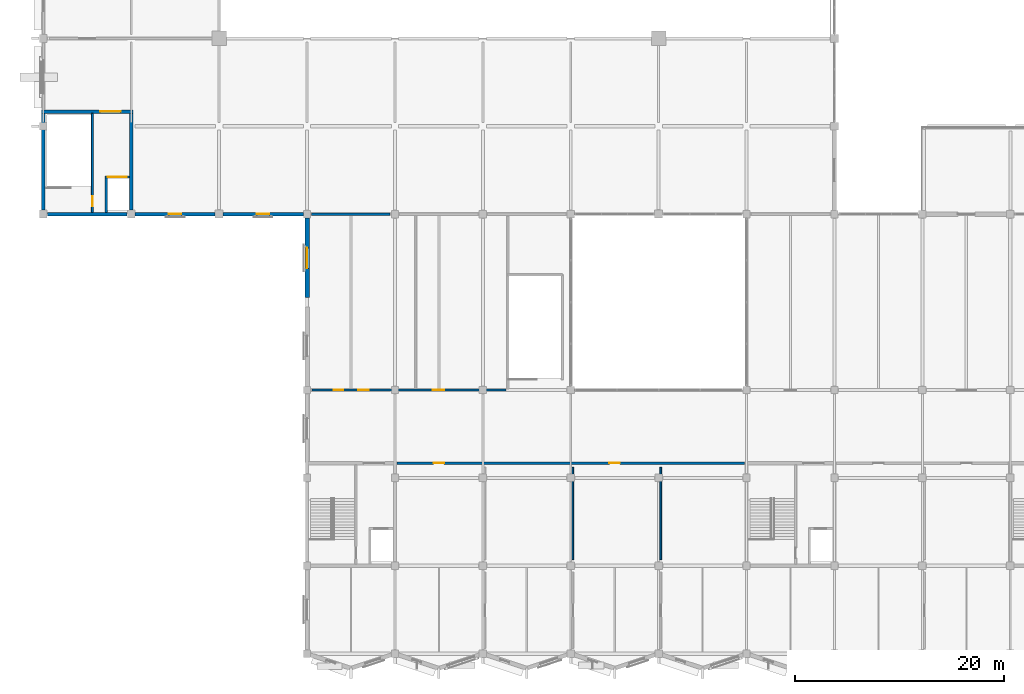
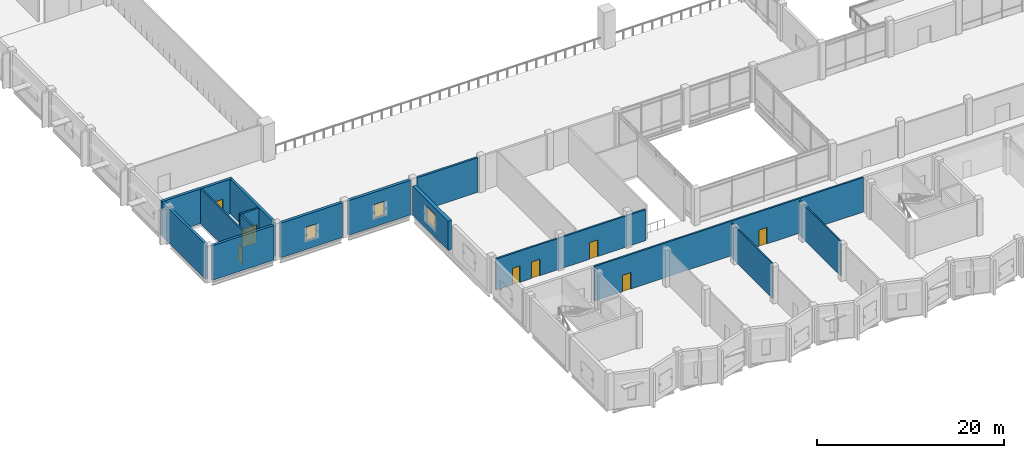
# One storey, part 83 of 110: 15 walls, 8 doors, 3 windows, 11 openings.
"""IFC4 building model written with IfcOpenShell, lengths in metres."""

from ifc_helpers import new_model, si_unit, direction, frame, frame_2d, origin, place, context, subcontext, project, spatial, rectangle, extrude, material, layer, layer_set, type_object, element, fill, save


model = new_model("IFC4")

# Units and contexts
model_context = context("Model", 3, precision=1e-05, world=origin(), true_north=direction((0.0, 1.0)))
body_context = subcontext(model_context, "Body", "Model", "MODEL_VIEW")
ifc_project = project(units=[si_unit("LENGTHUNIT", "METRE"), si_unit("AREAUNIT", "SQUARE_METRE"), si_unit("VOLUMEUNIT", "CUBIC_METRE"), si_unit("PLANEANGLEUNIT", "RADIAN"), si_unit("MASSUNIT", "GRAM", prefix="KILO")], contexts=[model_context])

# Site, building, storey
site_placement = place(None, origin())
site = spatial("IfcSite", under=ifc_project, at=site_placement, CompositionType="ELEMENT")
building_placement = place(site_placement, origin())
building = spatial("IfcBuilding", under=site, at=building_placement, Name="Qawsi Khor Wholesale Market", CompositionType="ELEMENT")
storey_placement = place(building_placement, frame((0.0, 0.0, 11.39990234375)))
storey = spatial("IfcBuildingStorey", under=building, at=storey_placement, Name="L02", CompositionType="ELEMENT", Elevation=11.39990234375)

# Wall, openings, doors
ifc_material_1 = material(Name="Gypsum Fireboard on Steel Stud", Category="steel")
ifc_layer_1 = layer(ifc_material_1, 0.2099609375, Name="Gypsum Fireboard on Steel Stud")
ifc_layer_set_1 = layer_set([ifc_layer_1], Name="Gypsum Fireboard on Steel Stud")
wall_type_1 = type_object("IfcWallType", Name="Corridor Fire Partition Wall 210", PredefinedType="PARTITIONING", material=ifc_layer_set_1)
wall_1_placement = place(storey_placement, frame((33.800048828125, 18.199951171875, 0.0), z_axis=(0.0, 0.0, 1.0), x_axis=(1.0, 0.0, 0.0)))
wall_1 = element("IfcWall", 1, at=wall_1_placement, inside=storey, type_object=wall_type_1, Name="PW-L02-071", PredefinedType="PARTITIONING", context=body_context, shape_type="SweptSolid", body=[
    extrude(rectangle(XDim=33.199951171875, YDim=0.2099609375, at=frame_2d((16.60009765625, 0.0))), origin(), (0.0, 0.0, 1.0), 4.52001953125),
])
opening_1_placement = place(wall_1_placement, frame((3.5, 0.0, 0.0)))
opening_1 = element("IfcOpeningElement", 2, at=opening_1_placement, cuts=wall_1, Name="Opening ID-06", PredefinedType="OPENING", context=body_context, shape_type="SweptSolid", body=[
    extrude(rectangle(XDim=1.0, YDim=2.14990234375, at=frame_2d((0.5, 1.074951171875))), frame((0.0, 0.114990234375, 0.0), z_axis=(0.0, -1.0, 0.0), x_axis=(1.0, 0.0, 0.0)), (0.0, 0.0, 1.0), 0.22998046875),
])
opening_2_placement = place(wall_1_placement, frame((20.300048828125, 0.0, 0.0)))
opening_2 = element("IfcOpeningElement", 3, at=opening_2_placement, cuts=wall_1, Name="Opening ID-06", PredefinedType="OPENING", context=body_context, shape_type="SweptSolid", body=[
    extrude(rectangle(XDim=1.0, YDim=2.14990234375, at=frame_2d((0.5, 1.074951171875))), frame((0.0, 0.114990234375, 0.0), z_axis=(0.0, -1.0, 0.0), x_axis=(1.0, 0.0, 0.0)), (0.0, 0.0, 1.0), 0.22998046875),
])
ifc_material_2 = material(Name="Hardwood Timber Veneer", Category="wood")
door_type_1 = type_object("IfcDoorType", Name="Traders Office Single Door 1000x2150", OperationType="NOTDEFINED", PredefinedType="DOOR", material=ifc_material_2)
door_1_placement = place(opening_1_placement, origin())
door_1 = element("IfcDoor", 4, at=door_1_placement, inside=storey, type_object=door_type_1, Name="Traders Office Single Door 1000x2150 L02-079", OperationType="SINGLE_SWING_LEFT", OverallHeight=2.14990234375, OverallWidth=1.0, PredefinedType="DOOR", context=body_context, shape_type="SweptSolid", body=[
    extrude(rectangle(XDim=1.0, YDim=2.14990234375, at=frame_2d((0.5, 1.074951171875))), frame((0.0, 0.02490234375, 0.0), z_axis=(0.0, -1.0, 0.0), x_axis=(1.0, 0.0, 0.0)), (0.0, 0.0, 1.0), 0.050048828125),
])
fill(opening_1, door_1)
door_2_placement = place(opening_2_placement, origin())
door_2 = element("IfcDoor", 5, at=door_2_placement, inside=storey, type_object=door_type_1, Name="Traders Office Single Door 1000x2150 L02-080", OperationType="SINGLE_SWING_RIGHT", OverallHeight=2.14990234375, OverallWidth=1.0, PredefinedType="DOOR", context=body_context, shape_type="SweptSolid", body=[
    extrude(rectangle(XDim=1.0, YDim=2.14990234375, at=frame_2d((0.5, 1.074951171875))), frame((0.0, 0.02490234375, 0.0), z_axis=(0.0, -1.0, 0.0), x_axis=(1.0, 0.0, 0.0)), (0.0, 0.0, 1.0), 0.050048828125),
])
fill(opening_2, door_2)

wall_2_placement = place(storey_placement, frame((25.699951171875, 25.199951171875, 0.0), z_axis=(0.0, 0.0, 1.0), x_axis=(1.0, 0.0, 0.0)))
wall_2 = element("IfcWall", 6, at=wall_2_placement, inside=storey, type_object=wall_type_1, Name="PW-L02-094", PredefinedType="PARTITIONING", context=body_context, shape_type="SweptSolid", body=[
    extrude(rectangle(XDim=18.5, YDim=0.2099609375, at=frame_2d((9.25, 0.0))), origin(), (0.0, 0.0, 1.0), 4.080078125),
])
opening_3_placement = place(wall_2_placement, frame((2.0400390625, 0.0, 0.0)))
opening_3 = element("IfcOpeningElement", 7, at=opening_3_placement, cuts=wall_2, Name="Opening ID-11", PredefinedType="OPENING", context=body_context, shape_type="SweptSolid", body=[
    extrude(rectangle(XDim=0.919921875, YDim=2.139892578125, at=frame_2d((0.4599609375, 1.06982421875))), frame((0.0, 0.114990234375, 0.0), z_axis=(0.0, -1.0, 0.0), x_axis=(1.0, 0.0, 0.0)), (0.0, 0.0, 1.0), 0.22998046875),
])
opening_4_placement = place(wall_2_placement, frame((4.385009765625, 0.0, 0.0)))
opening_4 = element("IfcOpeningElement", 8, at=opening_4_placement, cuts=wall_2, Name="Opening ID-12", PredefinedType="OPENING", context=body_context, shape_type="SweptSolid", body=[
    extrude(rectangle(XDim=1.030029296875, YDim=2.14990234375, at=frame_2d((0.51513671875, 1.074951171875))), frame((0.0, 0.114990234375, 0.0), z_axis=(0.0, -1.0, 0.0), x_axis=(1.0, 0.0, 0.0)), (0.0, 0.0, 1.0), 0.22998046875),
])
opening_5_placement = place(wall_2_placement, frame((11.530029296875, 0.0, 0.0)))
opening_5 = element("IfcOpeningElement", 9, at=opening_5_placement, cuts=wall_2, Name="Opening ID-07", PredefinedType="OPENING", context=body_context, shape_type="SweptSolid", body=[
    extrude(rectangle(XDim=1.06005859375, YDim=2.179931640625, at=frame_2d((0.530029296875, 1.08984375))), frame((0.0, 0.114990234375, 0.0), z_axis=(0.0, -1.0, 0.0), x_axis=(1.0, 0.0, 0.0)), (0.0, 0.0, 1.0), 0.22998046875),
])
ifc_material_3 = material(Name="High-Pressure Laminate", Category="steel")
door_type_2 = type_object("IfcDoorType", Name="Accessible WC Door 1030x2150", OperationType="NOTDEFINED", PredefinedType="DOOR", material=ifc_material_3)
door_3_placement = place(opening_4_placement, origin())
door_3 = element("IfcDoor", 10, at=door_3_placement, inside=storey, type_object=door_type_2, Name="Accessible WC Door 1030x2150 L02-099", OperationType="SINGLE_SWING_RIGHT", OverallHeight=2.14990234375, OverallWidth=1.030029296875, PredefinedType="DOOR", context=body_context, shape_type="SweptSolid", body=[
    extrude(rectangle(XDim=1.030029296875, YDim=2.14990234375, at=frame_2d((0.51513671875, 1.074951171875))), frame((0.0, 0.02490234375, 0.0), z_axis=(0.0, -1.0, 0.0), x_axis=(1.0, 0.0, 0.0)), (0.0, 0.0, 1.0), 0.050048828125),
])
fill(opening_4, door_3)
door_type_3 = type_object("IfcDoorType", Name="Clearinghouse Suite Door 1060x2180", OperationType="NOTDEFINED", PredefinedType="DOOR", material=ifc_material_2)
door_4_placement = place(opening_5_placement, origin())
door_4 = element("IfcDoor", 11, at=door_4_placement, inside=storey, type_object=door_type_3, Name="Clearinghouse Suite Door 1060x2180 L02-100", OperationType="SINGLE_SWING_LEFT", OverallHeight=2.179931640625, OverallWidth=1.06005859375, PredefinedType="DOOR", context=body_context, shape_type="SweptSolid", body=[
    extrude(rectangle(XDim=1.06005859375, YDim=2.179931640625, at=frame_2d((0.530029296875, 1.08984375))), frame((0.0, 0.02490234375, 0.0), z_axis=(0.0, -1.0, 0.0), x_axis=(1.0, 0.0, 0.0)), (0.0, 0.0, 1.0), 0.050048828125),
])
fill(opening_5, door_4)
door_type_4 = type_object("IfcDoorType", Name="Public Toilet Entrance Door 920x2140", OperationType="NOTDEFINED", PredefinedType="DOOR", material=ifc_material_3)
door_5_placement = place(opening_3_placement, origin())
door_5 = element("IfcDoor", 12, at=door_5_placement, inside=storey, type_object=door_type_4, Name="Public Toilet Entrance Door 920x2140 L02-098", OperationType="SINGLE_SWING_LEFT", OverallHeight=2.139892578125, OverallWidth=0.919921875, PredefinedType="DOOR", context=body_context, shape_type="SweptSolid", body=[
    extrude(rectangle(XDim=0.919921875, YDim=2.139892578125, at=frame_2d((0.4599609375, 1.06982421875))), frame((0.0, 0.02490234375, 0.0), z_axis=(0.0, -1.0, 0.0), x_axis=(1.0, 0.0, 0.0)), (0.0, 0.0, 1.0), 0.050048828125),
])
fill(opening_3, door_5)

# Walls
ifc_material_4 = material(Name="Concrete Blockwork & Plaster", Category="masonry")
ifc_layer_2 = layer(ifc_material_4, 0.25, Name="Concrete Blockwork & Plaster")
ifc_layer_set_2 = layer_set([ifc_layer_2], Name="Concrete Blockwork & Plaster")
wall_type_2 = type_object("IfcWallType", Name="Fire Compartment Masonry Wall 250", PredefinedType="SOLIDWALL", material=ifc_layer_set_2)
wall_3_placement = place(storey_placement, frame((25.64990234375, 42.0, 0.0), z_axis=(0.0, 0.0, 1.0), x_axis=(1.0, 0.0, 0.0)))
element("IfcWall", 13, at=wall_3_placement, inside=storey, type_object=wall_type_2, Name="Grid F fire compartment wall L02-03", PredefinedType="SOLIDWALL", context=body_context, shape_type="SweptSolid", body=[
    extrude(rectangle(XDim=7.5, YDim=0.25, at=frame_2d((3.75, 0.0))), origin(), (0.0, 0.0, 1.0), 4.52001953125),
])
ifc_material_5 = material(Name="Concrete C40/50", Category="concrete")
ifc_layer_3 = layer(ifc_material_5, 0.320068359375, Name="Concrete C40/50")
ifc_layer_set_3 = layer_set([ifc_layer_3], Name="Concrete C40/50")
wall_type_3 = type_object("IfcWallType", Name="Hall Lateral Shear Wall RC 320 C40/50", PredefinedType="SHEAR", material=ifc_layer_set_3)
wall_4_placement = place(storey_placement, frame((8.02001953125, 42.0, 0.0), z_axis=(0.0, 0.0, 1.0), x_axis=(-1.0, 0.0, 0.0)))
element("IfcWall", 14, at=wall_4_placement, inside=storey, type_object=wall_type_3, Name="Core C07 south shear wall L02", PredefinedType="SHEAR", context=body_context, shape_type="SweptSolid", body=[
    extrude(rectangle(XDim=7.64013671875, YDim=0.320068359375, at=frame_2d((3.820068359375, 0.0))), origin(), (0.0, 0.0, 1.0), 4.52001953125),
])
wall_5_placement = place(storey_placement, frame((0.0, 42.3798828125, 0.0), z_axis=(0.0, 0.0, 1.0), x_axis=(0.0, 1.0, 0.0)))
element("IfcWall", 15, at=wall_5_placement, inside=storey, type_object=wall_type_3, Name="Core C07 west shear wall L02", PredefinedType="SHEAR", context=body_context, shape_type="SweptSolid", body=[
    extrude(rectangle(XDim=9.260009765625, YDim=0.320068359375, at=frame_2d((4.6298828125, 0.0))), origin(), (0.0, 0.0, 1.0), 4.52001953125),
])

# Wall, opening, door
wall_6_placement = place(storey_placement, frame((-0.159912109375, 51.800048828125, 0.0), z_axis=(0.0, 0.0, 1.0), x_axis=(1.0, 0.0, 0.0)))
wall_6 = element("IfcWall", 16, at=wall_6_placement, inside=storey, type_object=wall_type_3, Name="Core C07 north shear wall L02", PredefinedType="SHEAR", context=body_context, shape_type="SweptSolid", body=[
    extrude(rectangle(XDim=8.719970703125, YDim=0.320068359375, at=frame_2d((4.35986328125, 0.0))), origin(), (0.0, 0.0, 1.0), 4.52001953125),
])
opening_6_placement = place(wall_6_placement, frame((5.580078125, 0.0, 0.0)))
opening_6 = element("IfcOpeningElement", 17, at=opening_6_placement, cuts=wall_6, Name="Opening ID-01", PredefinedType="OPENING", context=body_context, shape_type="SweptSolid", body=[
    extrude(rectangle(XDim=1.9599609375, YDim=2.199951171875, at=frame_2d((0.97998046875, 1.10009765625))), frame((0.0, 0.169921875, 0.0), z_axis=(0.0, -1.0, 0.0), x_axis=(1.0, 0.0, 0.0)), (0.0, 0.0, 1.0), 0.340087890625),
])
ifc_material_6 = material(Name="Steel Fire Door", Category="steel")
door_type_5 = type_object("IfcDoorType", Name="Stair & Core Fire Door 1960x2200 FD90S", OperationType="NOTDEFINED", PredefinedType="DOOR", material=ifc_material_6)
door_6_placement = place(opening_6_placement, origin())
door_6 = element("IfcDoor", 18, at=door_6_placement, inside=storey, type_object=door_type_5, Name="Core C07 fire door L02", OperationType="DOUBLE_DOOR_SINGLE_SWING", OverallHeight=2.199951171875, OverallWidth=1.9599609375, PredefinedType="DOOR", context=body_context, shape_type="SweptSolid", body=[
    extrude(rectangle(XDim=1.9599609375, YDim=2.199951171875, at=frame_2d((0.97998046875, 1.10009765625))), frame((0.0, 0.02490234375, 0.0), z_axis=(0.0, -1.0, 0.0), x_axis=(1.0, 0.0, 0.0)), (0.0, 0.0, 1.0), 0.050048828125),
])
fill(opening_6, door_6)

# Walls
wall_7_placement = place(storey_placement, frame((8.39990234375, 51.639892578125, 0.0), z_axis=(0.0, 0.0, 1.0), x_axis=(0.0, -1.0, 0.0)))
element("IfcWall", 19, at=wall_7_placement, inside=storey, type_object=wall_type_3, Name="Core C07 east shear wall L02", PredefinedType="SHEAR", context=body_context, shape_type="SweptSolid", body=[
    extrude(rectangle(XDim=9.260009765625, YDim=0.320068359375, at=frame_2d((4.6298828125, 0.0))), origin(), (0.0, 0.0, 1.0), 4.52001953125),
])
ifc_layer_4 = layer(ifc_material_5, 0.219970703125, Name="Concrete C40/50")
ifc_layer_set_4 = layer_set([ifc_layer_4], Name="Concrete C40/50")
wall_type_4 = type_object("IfcWallType", Name="Lift & Stair Shaft Wall RC 220", PredefinedType="SOLIDWALL", material=ifc_layer_set_4)
wall_8_placement = place(storey_placement, frame((6.010009765625, 42.159912109375, 0.0), z_axis=(0.0, 0.0, 1.0), x_axis=(0.0, 1.0, 0.0)))
element("IfcWall", 20, at=wall_8_placement, inside=storey, type_object=wall_type_4, Name="Lift GL-01 shaft wall W L02", PredefinedType="SOLIDWALL", context=body_context, shape_type="SweptSolid", body=[
    extrude(rectangle(XDim=3.39013671875, YDim=0.219970703125, at=frame_2d((1.695068359375, 0.0))), origin(), (0.0, 0.0, 1.0), 4.52001953125),
])

# Wall, opening, door
wall_9_placement = place(storey_placement, frame((5.89990234375, 45.550048828125, 0.0), z_axis=(0.0, 0.0, 1.0), x_axis=(1.0, 0.0, 0.0)))
wall_9 = element("IfcWall", 21, at=wall_9_placement, inside=storey, type_object=wall_type_4, Name="Lift GL-01 shaft wall N L02", PredefinedType="SOLIDWALL", context=body_context, shape_type="SweptSolid", body=[
    extrude(rectangle(XDim=2.340087890625, YDim=0.219970703125, at=frame_2d((1.169921875, 0.0))), origin(), (0.0, 0.0, 1.0), 4.52001953125),
])
opening_7_placement = place(wall_9_placement, frame((0.260009765625, 0.0, 0.0)))
opening_7 = element("IfcOpeningElement", 22, at=opening_7_placement, cuts=wall_9, Name="Opening LD-G180", PredefinedType="OPENING", context=body_context, shape_type="SweptSolid", body=[
    extrude(rectangle(XDim=1.820068359375, YDim=2.39990234375, at=frame_2d((0.91015625, 1.199951171875))), frame((0.0, 0.119873046875, 0.0), z_axis=(0.0, -1.0, 0.0), x_axis=(1.0, 0.0, 0.0)), (0.0, 0.0, 1.0), 0.239990234375),
])
ifc_material_7 = material(Name="Heavy-Duty Stainless Steel", Category="steel")
door_type_6 = type_object("IfcDoorType", Name="Goods Lift Landing Sliding Door 1820x2400 FD90S", OperationType="NOTDEFINED", PredefinedType="DOOR", material=ifc_material_7)
door_7_placement = place(opening_7_placement, origin())
door_7 = element("IfcDoor", 23, at=door_7_placement, inside=storey, type_object=door_type_6, Name="Lift GL-01 landing door L02", OperationType="SLIDING_TO_LEFT", OverallHeight=2.39990234375, OverallWidth=1.820068359375, PredefinedType="DOOR", context=body_context, shape_type="SweptSolid", body=[
    extrude(rectangle(XDim=1.820068359375, YDim=2.39990234375, at=frame_2d((0.91015625, 1.199951171875))), frame((0.0, 0.02490234375, 0.0), z_axis=(0.0, -1.0, 0.0), x_axis=(1.0, 0.0, 0.0)), (0.0, 0.0, 1.0), 0.050048828125),
])
fill(opening_7, door_7)

# Walls
ifc_material_8 = material(Name="Gypsum Board on Metal Stud", Category="gypsum")
ifc_layer_5 = layer(ifc_material_8, 0.14990234375, Name="Gypsum Board on Metal Stud")
ifc_layer_set_5 = layer_set([ifc_layer_5], Name="Gypsum Board on Metal Stud")
wall_type_5 = type_object("IfcWallType", Name="Office Partition Wall 150", PredefinedType="PARTITIONING", material=ifc_layer_set_5)
for number, where, z_axis, x_axis, name in (
    (24, (50.60009765625, 9.0, 0.0), (0.0, 0.0, 1.0), (0.0, 1.0, 0.0), "PW-L02-075"),
    (25, (59.0, 9.0, 0.0), (0.0, 0.0, 1.0), (0.0, 1.0, 0.0), "PW-L02-077"),
):
    element("IfcWall", number, at=place(storey_placement, frame(where, z_axis=z_axis, x_axis=x_axis)), inside=storey, type_object=wall_type_5, Name=name, PredefinedType="PARTITIONING", context=body_context, shape_type="SweptSolid", body=[
        extrude(rectangle(XDim=8.800048828125, YDim=0.14990234375, at=frame_2d((4.39990234375, 0.0))), origin(), (0.0, 0.0, 1.0), 4.52001953125),
    ])

# Wall, opening, window
ifc_layer_6 = layer(ifc_material_5, 0.429931640625, Name="Concrete C40/50")
ifc_layer_set_6 = layer_set([ifc_layer_6], Name="Concrete C40/50")
wall_type_6 = type_object("IfcWallType", Name="Sculpted Ribbed Concrete Facade Wall 430", PredefinedType="SOLIDWALL", material=ifc_layer_set_6)
wall_10_placement = place(storey_placement, frame((25.199951171875, 34.050048828125, 0.0), z_axis=(0.0, 0.0, 1.0), x_axis=(0.0, 1.0, 0.0)))
wall_10 = element("IfcWall", 26, at=wall_10_placement, inside=storey, type_object=wall_type_6, Name="EW-L02-SWW-4", PredefinedType="SOLIDWALL", context=body_context, shape_type="SweptSolid", body=[
    extrude(rectangle(XDim=7.594970703125, YDim=0.429931640625, at=frame_2d((3.79736328125, 0.0))), origin(), (0.0, 0.0, 1.0), 3.830078125),
])
opening_8_placement = place(wall_10_placement, frame((2.77490234375, 0.0, 0.949951171875)))
opening_8 = element("IfcOpeningElement", 27, at=opening_8_placement, cuts=wall_10, Name="Opening W-20", PredefinedType="OPENING", context=body_context, shape_type="SweptSolid", body=[
    extrude(rectangle(XDim=1.949951171875, YDim=2.050048828125, at=frame_2d((0.97509765625, 1.02490234375))), frame((0.0, 0.224853515625, 0.0), z_axis=(0.0, -1.0, 0.0), x_axis=(1.0, 0.0, 0.0)), (0.0, 0.0, 1.0), 0.449951171875),
])
ifc_material_9 = material(Name="Thermally Broken Aluminium & Low-E Glass", Category="aluminium")
window_type_1 = type_object("IfcWindowType", Name="Win W-20 Governance Corner 1950x2050", PartitioningType="SINGLE_PANEL", PredefinedType="WINDOW", material=ifc_material_9)
window_1_placement = place(opening_8_placement, origin())
window_1 = element("IfcWindow", 28, at=window_1_placement, inside=storey, type_object=window_type_1, Name="Win W-20 Governance Corner 1950x2050 122", OverallHeight=2.050048828125, OverallWidth=1.949951171875, PartitioningType="SINGLE_PANEL", PredefinedType="WINDOW", context=body_context, shape_type="SweptSolid", body=[
    extrude(rectangle(XDim=1.949951171875, YDim=2.050048828125, at=frame_2d((0.97509765625, 1.02490234375))), frame((0.0, 0.030029296875, 0.0), z_axis=(0.0, -1.0, 0.0), x_axis=(1.0, 0.0, 0.0)), (0.0, 0.0, 1.0), 0.06005859375),
])
fill(opening_8, window_1)

# Wall, opening, door
ifc_layer_7 = layer(ifc_material_5, 0.18994140625, Name="Concrete C40/50")
ifc_layer_set_7 = layer_set([ifc_layer_7], Name="Concrete C40/50")
wall_type_7 = type_object("IfcWallType", Name="Stairwell Enclosure Wall RC 190", PredefinedType="SOLIDWALL", material=ifc_layer_set_7)
wall_11_placement = place(storey_placement, frame((4.679931640625, 42.159912109375, 0.0), z_axis=(0.0, 0.0, 1.0), x_axis=(0.0, 1.0, 0.0)))
wall_11 = element("IfcWall", 29, at=wall_11_placement, inside=storey, type_object=wall_type_7, Name="Core C07 stairwell enclosure wall L02", PredefinedType="SOLIDWALL", context=body_context, shape_type="SweptSolid", body=[
    extrude(rectangle(XDim=9.47998046875, YDim=0.18994140625, at=frame_2d((4.739990234375, 0.0))), origin(), (0.0, 0.0, 1.0), 4.52001953125),
])
opening_9_placement = place(wall_11_placement, frame((0.580078125, 0.0, 0.0)))
opening_9 = element("IfcOpeningElement", 30, at=opening_9_placement, cuts=wall_11, Name="Opening ID-17", PredefinedType="OPENING", context=body_context, shape_type="SweptSolid", body=[
    extrude(rectangle(XDim=0.97998046875, YDim=2.14990234375, at=frame_2d((0.489990234375, 1.074951171875))), frame((0.0, 0.10498046875, 0.0), z_axis=(0.0, -1.0, 0.0), x_axis=(1.0, 0.0, 0.0)), (0.0, 0.0, 1.0), 0.2099609375),
])
door_type_7 = type_object("IfcDoorType", Name="Core Stair Lobby Fire Door 980x2150 FD120S", OperationType="NOTDEFINED", PredefinedType="DOOR", material=ifc_material_6)
door_8_placement = place(opening_9_placement, origin())
door_8 = element("IfcDoor", 31, at=door_8_placement, inside=storey, type_object=door_type_7, Name="Core C07 stair enclosure fire door L02", OperationType="SINGLE_SWING_LEFT", OverallHeight=2.14990234375, OverallWidth=0.97998046875, PredefinedType="DOOR", context=body_context, shape_type="SweptSolid", body=[
    extrude(rectangle(XDim=0.97998046875, YDim=2.14990234375, at=frame_2d((0.489990234375, 1.074951171875))), frame((0.0, 0.02490234375, 0.0), z_axis=(0.0, -1.0, 0.0), x_axis=(1.0, 0.0, 0.0)), (0.0, 0.0, 1.0), 0.050048828125),
])
fill(opening_9, door_8)

# Wall, opening, window
ifc_layer_8 = layer(ifc_material_5, 0.35009765625, Name="Concrete C40/50")
ifc_layer_set_8 = layer_set([ifc_layer_8], Name="Concrete C40/50")
wall_type_8 = type_object("IfcWallType", Name="Trading Hall Precast Concrete Wall 350", PredefinedType="SOLIDWALL", material=ifc_layer_set_8)
wall_12_placement = place(storey_placement, frame((16.419921875, 42.0, 0.0), z_axis=(0.0, 0.0, 1.0), x_axis=(-1.0, 0.0, 0.0)))
wall_12 = element("IfcWall", 32, at=wall_12_placement, inside=storey, type_object=wall_type_8, Name="EW-L02-WHS-01", PredefinedType="SOLIDWALL", context=body_context, shape_type="SweptSolid", body=[
    extrude(rectangle(XDim=7.639892578125, YDim=0.35009765625, at=frame_2d((3.81982421875, 0.0))), origin(), (0.0, 0.0, 1.0), 4.52001953125),
])
opening_10_placement = place(wall_12_placement, frame((3.219970703125, 0.0, 1.10009765625)))
opening_10 = element("IfcOpeningElement", 33, at=opening_10_placement, cuts=wall_12, Name="Opening W-01", PredefinedType="OPENING", context=body_context, shape_type="SweptSolid", body=[
    extrude(rectangle(XDim=1.199951171875, YDim=1.800048828125, at=frame_2d((0.60009765625, 0.89990234375))), frame((0.0, 0.18505859375, 0.0), z_axis=(0.0, -1.0, 0.0), x_axis=(1.0, 0.0, 0.0)), (0.0, 0.0, 1.0), 0.3701171875),
])
window_type_2 = type_object("IfcWindowType", Name="Win W-01 Deep-Set Punched 1200x1800", PartitioningType="SINGLE_PANEL", PredefinedType="WINDOW", material=ifc_material_9)
window_2_placement = place(opening_10_placement, origin())
window_2 = element("IfcWindow", 34, at=window_2_placement, inside=storey, type_object=window_type_2, Name="Win W-01 Deep-Set Punched 1200x1800 170", OverallHeight=1.800048828125, OverallWidth=1.199951171875, PartitioningType="SINGLE_PANEL", PredefinedType="WINDOW", context=body_context, shape_type="SweptSolid", body=[
    extrude(rectangle(XDim=1.199951171875, YDim=1.800048828125, at=frame_2d((0.60009765625, 0.89990234375))), frame((0.0, 0.030029296875, 0.0), z_axis=(0.0, -1.0, 0.0), x_axis=(1.0, 0.0, 0.0)), (0.0, 0.0, 1.0), 0.06005859375),
])
fill(opening_10, window_2)

wall_13_placement = place(storey_placement, frame((24.844970703125, 42.0, 0.0), z_axis=(0.0, 0.0, 1.0), x_axis=(-1.0, 0.0, 0.0)))
wall_13 = element("IfcWall", 35, at=wall_13_placement, inside=storey, type_object=wall_type_8, Name="EW-L02-WHS-02", PredefinedType="SOLIDWALL", context=body_context, shape_type="SweptSolid", body=[
    extrude(rectangle(XDim=7.6650390625, YDim=0.35009765625, at=frame_2d((3.83251953125, 0.0))), origin(), (0.0, 0.0, 1.0), 4.52001953125),
])
opening_11_placement = place(wall_13_placement, frame((3.2451171875, 0.0, 1.10009765625)))
opening_11 = element("IfcOpeningElement", 36, at=opening_11_placement, cuts=wall_13, Name="Opening W-01", PredefinedType="OPENING", context=body_context, shape_type="SweptSolid", body=[
    extrude(rectangle(XDim=1.199951171875, YDim=1.800048828125, at=frame_2d((0.60009765625, 0.89990234375))), frame((0.0, 0.18505859375, 0.0), z_axis=(0.0, -1.0, 0.0), x_axis=(1.0, 0.0, 0.0)), (0.0, 0.0, 1.0), 0.3701171875),
])
window_3_placement = place(opening_11_placement, origin())
window_3 = element("IfcWindow", 37, at=window_3_placement, inside=storey, type_object=window_type_2, Name="Win W-01 Deep-Set Punched 1200x1800 171", OverallHeight=1.800048828125, OverallWidth=1.199951171875, PartitioningType="SINGLE_PANEL", PredefinedType="WINDOW", context=body_context, shape_type="SweptSolid", body=[
    extrude(rectangle(XDim=1.199951171875, YDim=1.800048828125, at=frame_2d((0.60009765625, 0.89990234375))), frame((0.0, 0.030029296875, 0.0), z_axis=(0.0, -1.0, 0.0), x_axis=(1.0, 0.0, 0.0)), (0.0, 0.0, 1.0), 0.06005859375),
])
fill(opening_11, window_3)

save(model, "model.ifc")
